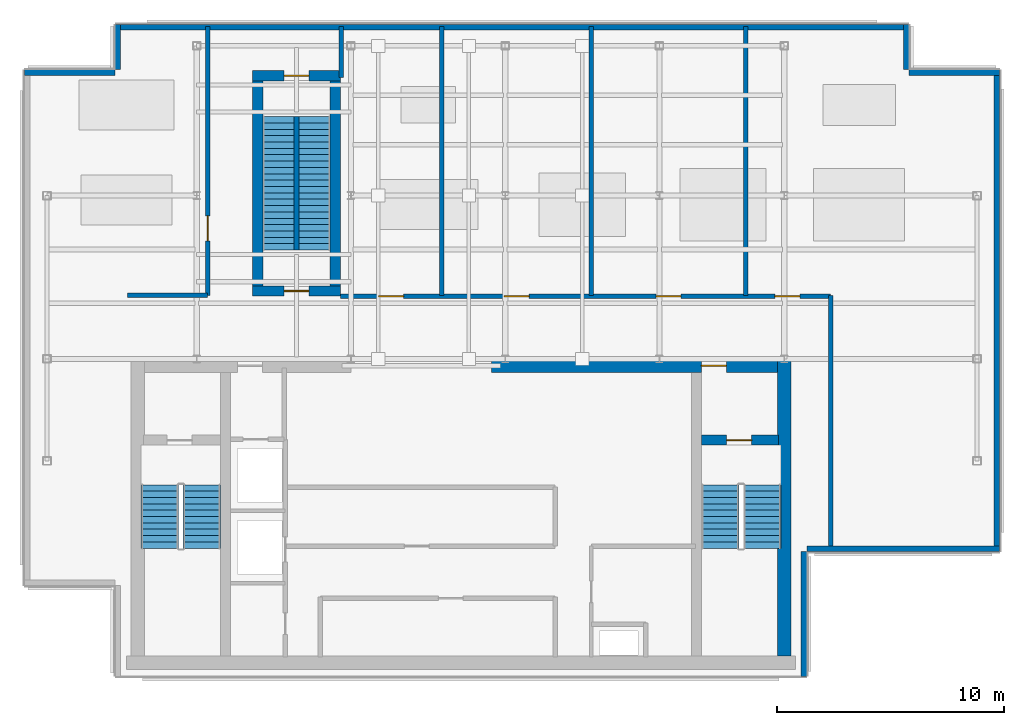
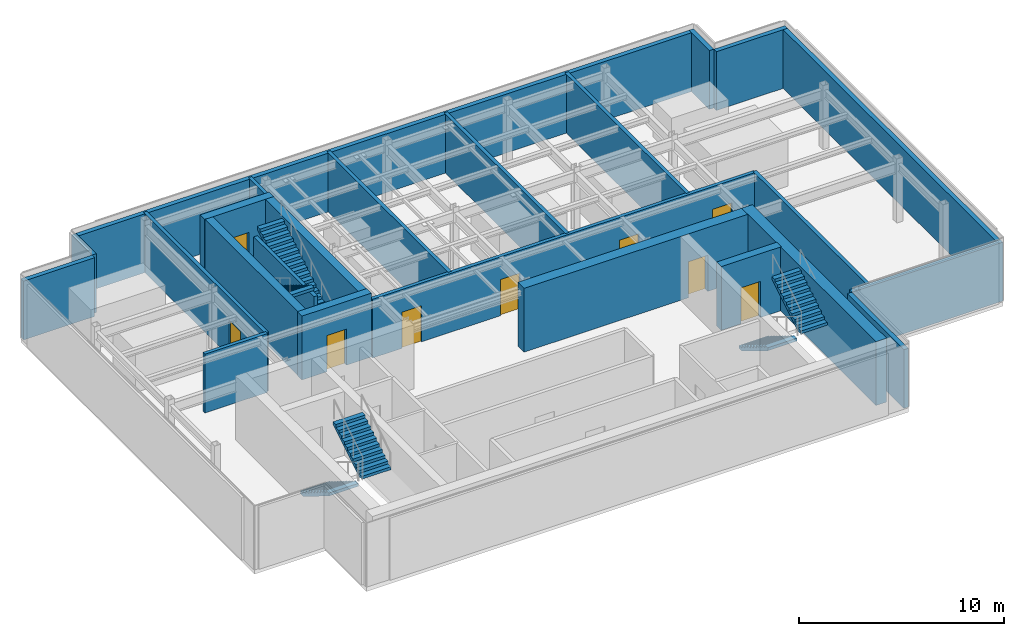
# One storey, part 3 of 7: 24 walls, 9 doors, 6 stair flights, 9 openings, 4 elements without a shape of their own.
"""IFC4 building model written with IfcOpenShell, lengths in metres."""

from ifc_helpers import new_model, si_unit, derived_unit, direction, frame, frame_2d, origin, place, context, subcontext, project, spatial, polyline, rectangle, outline, extrude, source, transform, mapped, material, layer, layer_set, type_object, element, fill, aggregate, save


model = new_model("IFC4")

# Units and contexts
model_context = context("Model", 3, precision=1e-05, world=origin(), true_north=direction((0.0, 1.0)))
body_context = subcontext(model_context, "Body", "Model", "MODEL_VIEW")
ifc_project = project(units=[si_unit("LENGTHUNIT", "METRE"), si_unit("AREAUNIT", "SQUARE_METRE"), si_unit("VOLUMEUNIT", "CUBIC_METRE"), si_unit("PLANEANGLEUNIT", "RADIAN"), si_unit("MASSUNIT", "GRAM", prefix="KILO"), derived_unit("THERMALTRANSMITTANCEUNIT", [(si_unit("POWERUNIT", "WATT"), 1), (si_unit("LENGTHUNIT", "METRE"), -2), (si_unit("THERMODYNAMICTEMPERATUREUNIT", "KELVIN"), -1)])], contexts=[model_context])

# Site, building, storey
site_placement = place(None, origin())
site = spatial("IfcSite", under=ifc_project, at=site_placement, CompositionType="ELEMENT")
building_placement = place(site_placement, origin())
building = spatial("IfcBuilding", under=site, at=building_placement, Name="Skarnbrae Concourse Arena and Tower", CompositionType="ELEMENT")
storey_placement = place(building_placement, frame((0.0, 0.0, 307.449951171875)))
storey = spatial("IfcBuildingStorey", under=building, at=storey_placement, Name="L80", CompositionType="ELEMENT", Elevation=307.449951171875)

# Wall
ifc_material_1 = material(Name="Concrete 50 MPa (C50/60)", Category="concrete")
ifc_layer_1 = layer(ifc_material_1, 0.60009765625)
ifc_layer_set_1 = layer_set([ifc_layer_1], Name="Concrete 50 MPa (C50/60)")
wall_type_1 = type_object("IfcWallType", Name="WALL-CORE-600-C50", PredefinedType="SHEAR", material=ifc_layer_set_1)
shared_shape_1 = source(origin(), body_context, "Body", "SweptSolid", [
    extrude(rectangle(XDim=13.10009765625, YDim=0.60009765625, at=frame_2d((6.550048828125, 0.0))), origin(), (0.0, 0.0, 1.0), 3.800048828125),
])
wall_1_placement = place(storey_placement, frame((33.5, 0.89990234375, 0.0), z_axis=(0.0, 0.0, 1.0), x_axis=(0.0, 1.0, 0.0)))
element("IfcWall", 1, at=wall_1_placement, inside=storey, type_object=wall_type_1, Name="L80 Rear core shear wall CW-E", PredefinedType="SHEAR", context=body_context, shape_type="MappedRepresentation", body=[
    mapped(shared_shape_1, transform((0.0, 0.0, 0.0))),
])

# Wall, opening, door
shared_shape_2 = source(origin(), body_context, "Body", "SweptSolid", [
    extrude(rectangle(XDim=12.599853515625, YDim=0.60009765625, at=frame_2d((6.2998046875, 0.0))), origin(), (0.0, 0.0, 1.0), 3.800048828125),
])
wall_2_placement = place(storey_placement, frame((20.60009765625, 13.699951171875, 0.0), z_axis=(0.0, 0.0, 1.0), x_axis=(1.0, 0.0, 0.0)))
wall_2 = element("IfcWall", 2, at=wall_2_placement, inside=storey, type_object=wall_type_1, Name="L80 Rear core shear wall CW-NE", PredefinedType="SHEAR", context=body_context, shape_type="MappedRepresentation", body=[
    mapped(shared_shape_2, transform((0.0, 0.0, 0.0))),
])
opening_1_placement = place(wall_2_placement, frame((9.25, 0.0, 0.0)))
opening_1 = element("IfcOpeningElement", 3, at=opening_1_placement, cuts=wall_2, Name="Opening DT-03", PredefinedType="OPENING", context=body_context, shape_type="SweptSolid", body=[
    extrude(rectangle(XDim=1.10009765625, YDim=2.14990234375, at=frame_2d((0.550048828125, 1.074951171875))), frame((0.0, 0.31005859375, 0.0), z_axis=(0.0, -1.0, 0.0), x_axis=(1.0, 0.0, 0.0)), (0.0, 0.0, 1.0), 0.6201171875),
])
ifc_material_2 = material(Name="Steel CSA G40.21 350W", Category="steel")
door_type = type_object("IfcDoorType", Name="DOOR-FIRE-1100-90M", OperationType="NOTDEFINED", PredefinedType="DOOR", material=ifc_material_2)
shared_shape_3 = source(origin(), body_context, "Body", "SweptSolid", [
    extrude(rectangle(XDim=1.10009765625, YDim=2.14990234375, at=frame_2d((0.550048828125, 1.074951171875))), frame((0.0, 0.02490234375, 0.0), z_axis=(0.0, -1.0, 0.0), x_axis=(1.0, 0.0, 0.0)), (0.0, 0.0, 1.0), 0.050048828125),
])
door_1_placement = place(opening_1_placement, origin())
door_1 = element("IfcDoor", 4, at=door_1_placement, inside=storey, type_object=door_type, Name="D-2357 Stair ST-2 Vestibule Door", OperationType="SINGLE_SWING_LEFT", OverallHeight=2.14990234375, OverallWidth=1.10009765625, PredefinedType="DOOR", context=body_context, shape_type="MappedRepresentation", body=[
    mapped(shared_shape_3, transform((0.0, 0.0, 0.0))),
])
fill(opening_1, door_1)

ifc_layer_2 = layer(ifc_material_1, 0.449951171875)
ifc_layer_set_2 = layer_set([ifc_layer_2], Name="Concrete 50 MPa (C50/60)")
wall_type_2 = type_object("IfcWallType", Name="WALL-CORE-450-C50", PredefinedType="SHEAR", material=ifc_layer_set_2)
shared_shape_4 = source(origin(), body_context, "Body", "SweptSolid", [
    extrude(rectangle(XDim=3.389892578125, YDim=0.449951171875, at=frame_2d((1.69482421875, 0.0))), origin(), (0.0, 0.0, 1.0), 3.800048828125),
])
wall_3_placement = place(storey_placement, frame((29.860107421875, 10.419921875, 0.0), z_axis=(0.0, 0.0, 1.0), x_axis=(1.0, 0.0, 0.0)))
wall_3 = element("IfcWall", 5, at=wall_3_placement, inside=storey, type_object=wall_type_2, Name="L80 Rear core shear wall CW-ST2-N", PredefinedType="SHEAR", context=body_context, shape_type="MappedRepresentation", body=[
    mapped(shared_shape_4, transform((0.0, 0.0, 0.0))),
])
opening_2_placement = place(wall_3_placement, frame((1.10009765625, 0.0, 0.0)))
opening_2 = element("IfcOpeningElement", 6, at=opening_2_placement, cuts=wall_3, Name="Opening DT-03", PredefinedType="OPENING", context=body_context, shape_type="SweptSolid", body=[
    extrude(rectangle(XDim=1.10009765625, YDim=2.14990234375, at=frame_2d((0.550048828125, 1.074951171875))), frame((0.0, 0.23486328125, 0.0), z_axis=(0.0, -1.0, 0.0), x_axis=(1.0, 0.0, 0.0)), (0.0, 0.0, 1.0), 0.469970703125),
])
door_2_placement = place(opening_2_placement, frame((1.10009765625, 0.0, 0.0), z_axis=(0.0, 0.0, 1.0), x_axis=(-1.0, 0.0, 0.0)))
door_2 = element("IfcDoor", 7, at=door_2_placement, inside=storey, type_object=door_type, Name="D-2355 Stair ST-2 Door", OperationType="SINGLE_SWING_RIGHT", OverallHeight=2.14990234375, OverallWidth=1.10009765625, PredefinedType="DOOR", context=body_context, shape_type="MappedRepresentation", body=[
    mapped(shared_shape_3, transform((0.0, 0.0, 0.0))),
])
fill(opening_2, door_2)

# Walls
ifc_material_3 = material(Name="Precast concrete 40 MPa (C40/50)", Category="concrete")
ifc_layer_3 = layer(ifc_material_3, 0.25)
ifc_layer_set_3 = layer_set([ifc_layer_3], Name="Precast concrete 40 MPa (C40/50)")
wall_type_3 = type_object("IfcWallType", Name="WALL-CROWN-BRONZE-250", PredefinedType="STANDARD", material=ifc_layer_set_3)
shared_shape_5 = source(origin(), body_context, "Body", "SweptSolid", [
    extrude(rectangle(XDim=5.5, YDim=0.25, at=frame_2d((2.75, 0.0))), origin(), (0.0, 0.0, 1.0), 3.5),
])
wall_4_placement = place(storey_placement, frame((34.375, 0.0, 0.0), z_axis=(0.0, 0.0, 1.0), x_axis=(0.0, 1.0, 0.0)))
element("IfcWall", 8, at=wall_4_placement, inside=storey, type_object=wall_type_3, Name="L80 Crown enclosure wall 02", PredefinedType="STANDARD", context=body_context, shape_type="MappedRepresentation", body=[
    mapped(shared_shape_5, transform((0.0, 0.0, 0.0))),
])
shared_shape_6 = source(origin(), body_context, "Body", "SweptSolid", [
    extrude(rectangle(XDim=8.5, YDim=0.25, at=frame_2d((4.25, 0.0))), origin(), (0.0, 0.0, 1.0), 3.5),
])
wall_5_placement = place(storey_placement, frame((34.5, 5.625, 0.0), z_axis=(0.0, 0.0, 1.0), x_axis=(1.0, 0.0, 0.0)))
element("IfcWall", 9, at=wall_5_placement, inside=storey, type_object=wall_type_3, Name="L80 Crown enclosure wall 03", PredefinedType="STANDARD", context=body_context, shape_type="MappedRepresentation", body=[
    mapped(shared_shape_6, transform((0.0, 0.0, 0.0))),
])
shared_shape_7 = source(origin(), body_context, "Body", "SweptSolid", [
    extrude(rectangle(XDim=21.25, YDim=0.25, at=frame_2d((10.625, 0.0))), origin(), (0.0, 0.0, 1.0), 3.5),
])
wall_6_placement = place(storey_placement, frame((42.875, 5.5, 0.0), z_axis=(0.0, 0.0, 1.0), x_axis=(0.0, 1.0, 0.0)))
element("IfcWall", 10, at=wall_6_placement, inside=storey, type_object=wall_type_3, Name="L80 Crown enclosure wall 04", PredefinedType="STANDARD", context=body_context, shape_type="MappedRepresentation", body=[
    mapped(shared_shape_7, transform((0.0, 0.0, 0.0))),
])
shared_shape_8 = source(origin(), body_context, "Body", "SweptSolid", [
    extrude(rectangle(XDim=4.0, YDim=0.25, at=frame_2d((2.0, 0.0))), origin(), (0.0, 0.0, 1.0), 3.5),
])
for number, where, z_axis, x_axis, name in (
    (11, (43.0, 26.625, 0.0), (0.0, 0.0, 1.0), (-1.0, 0.0, 0.0), "L80 Crown enclosure wall 05"),
    (12, (4.0, 26.625, 0.0), (0.0, 0.0, 1.0), (-1.0, 0.0, 0.0), "L80 Crown enclosure wall 09"),
):
    element("IfcWall", number, at=place(storey_placement, frame(where, z_axis=z_axis, x_axis=x_axis)), inside=storey, type_object=wall_type_3, Name=name, PredefinedType="STANDARD", context=body_context, shape_type="MappedRepresentation", body=[
        mapped(shared_shape_8, transform((0.0, 0.0, 0.0))),
    ])
shared_shape_9 = source(origin(), body_context, "Body", "SweptSolid", [
    extrude(rectangle(XDim=2.0, YDim=0.25, at=frame_2d((1.0, 0.0))), origin(), (0.0, 0.0, 1.0), 3.5),
])
for number, where, z_axis, x_axis, name in (
    (13, (38.875, 26.75, 0.0), (0.0, 0.0, 1.0), (0.0, 1.0, 0.0), "L80 Crown enclosure wall 06"),
    (14, (4.125, 28.75, 0.0), (0.0, 0.0, 1.0), (0.0, -1.0, 0.0), "L80 Crown enclosure wall 08"),
):
    element("IfcWall", number, at=place(storey_placement, frame(where, z_axis=z_axis, x_axis=x_axis)), inside=storey, type_object=wall_type_3, Name=name, PredefinedType="STANDARD", context=body_context, shape_type="MappedRepresentation", body=[
        mapped(shared_shape_9, transform((0.0, 0.0, 0.0))),
    ])
shared_shape_10 = source(origin(), body_context, "Body", "SweptSolid", [
    extrude(rectangle(XDim=35.0, YDim=0.25, at=frame_2d((17.5, 0.0))), origin(), (0.0, 0.0, 1.0), 3.5),
])
wall_7_placement = place(storey_placement, frame((39.0, 28.625, 0.0), z_axis=(0.0, 0.0, 1.0), x_axis=(-1.0, 0.0, 0.0)))
element("IfcWall", 15, at=wall_7_placement, inside=storey, type_object=wall_type_3, Name="L80 Crown enclosure wall 07", PredefinedType="STANDARD", context=body_context, shape_type="MappedRepresentation", body=[
    mapped(shared_shape_10, transform((0.0, 0.0, 0.0))),
])

# Wall, opening, door
shared_shape_11 = source(origin(), body_context, "Body", "SweptSolid", [
    extrude(rectangle(XDim=3.89990234375, YDim=0.449951171875, at=frame_2d((1.949951171875, 0.0))), origin(), (0.0, 0.0, 1.0), 3.800048828125),
])
wall_8_placement = place(storey_placement, frame((10.050048828125, 16.9951171875, 0.0), z_axis=(0.0, 0.0, 1.0), x_axis=(1.0, 0.0, 0.0)))
wall_8 = element("IfcWall", 16, at=wall_8_placement, inside=storey, type_object=wall_type_2, Name="L80 Protected stair shaft wall ST-CRWN-S", PredefinedType="SHEAR", context=body_context, shape_type="MappedRepresentation", body=[
    mapped(shared_shape_11, transform((0.0, 0.0, 0.0))),
])
opening_3_placement = place(wall_8_placement, frame((1.39990234375, 0.0, 0.0)))
opening_3 = element("IfcOpeningElement", 17, at=opening_3_placement, cuts=wall_8, Name="Opening DT-03", PredefinedType="OPENING", context=body_context, shape_type="SweptSolid", body=[
    extrude(rectangle(XDim=1.10009765625, YDim=2.14990234375, at=frame_2d((0.550048828125, 1.074951171875))), frame((0.0, 0.23486328125, 0.0), z_axis=(0.0, -1.0, 0.0), x_axis=(1.0, 0.0, 0.0)), (0.0, 0.0, 1.0), 0.469970703125),
])
door_3_placement = place(opening_3_placement, origin())
door_3 = element("IfcDoor", 18, at=door_3_placement, inside=storey, type_object=door_type, Name="D-2369 Exit Stair ST-CRWN Door", OperationType="SINGLE_SWING_LEFT", OverallHeight=2.14990234375, OverallWidth=1.10009765625, PredefinedType="DOOR", context=body_context, shape_type="MappedRepresentation", body=[
    mapped(shared_shape_3, transform((0.0, 0.0, 0.0))),
])
fill(opening_3, door_3)

wall_9_placement = place(storey_placement, frame((10.050048828125, 26.485107421875, 0.0), z_axis=(0.0, 0.0, 1.0), x_axis=(1.0, 0.0, 0.0)))
wall_9 = element("IfcWall", 19, at=wall_9_placement, inside=storey, type_object=wall_type_2, Name="L80 Protected stair shaft wall ST-CRWN-N", PredefinedType="SHEAR", context=body_context, shape_type="MappedRepresentation", body=[
    mapped(shared_shape_11, transform((0.0, 0.0, 0.0))),
])
opening_4_placement = place(wall_9_placement, frame((1.39990234375, 0.0, 0.0)))
opening_4 = element("IfcOpeningElement", 20, at=opening_4_placement, cuts=wall_9, Name="Opening DT-03", PredefinedType="OPENING", context=body_context, shape_type="SweptSolid", body=[
    extrude(rectangle(XDim=1.10009765625, YDim=2.14990234375, at=frame_2d((0.550048828125, 1.074951171875))), frame((0.0, 0.23486328125, 0.0), z_axis=(0.0, -1.0, 0.0), x_axis=(1.0, 0.0, 0.0)), (0.0, 0.0, 1.0), 0.469970703125),
])
door_4_placement = place(opening_4_placement, frame((1.10009765625, 0.0, 0.0), z_axis=(0.0, 0.0, 1.0), x_axis=(-1.0, 0.0, 0.0)))
door_4 = element("IfcDoor", 21, at=door_4_placement, inside=storey, type_object=door_type, Name="D-2370 Exit Stair ST-CRWN North Door", OperationType="SINGLE_SWING_RIGHT", OverallHeight=2.14990234375, OverallWidth=1.10009765625, PredefinedType="DOOR", context=body_context, shape_type="MappedRepresentation", body=[
    mapped(shared_shape_3, transform((0.0, 0.0, 0.0))),
])
fill(opening_4, door_4)

# Walls
shared_shape_12 = source(origin(), body_context, "Body", "SweptSolid", [
    extrude(rectangle(XDim=9.080078125, YDim=0.449951171875, at=frame_2d((4.5400390625, 0.0))), origin(), (0.0, 0.0, 1.0), 3.800048828125),
])
for number, where, z_axis, x_axis, name in (
    (22, (10.294921875, 17.199951171875, 0.0), (0.0, 0.0, 1.0), (0.0, 1.0, 0.0), "L80 Protected stair shaft wall ST-CRWN-W"),
    (23, (13.705078125, 17.199951171875, 0.0), (0.0, 0.0, 1.0), (0.0, 1.0, 0.0), "L80 Protected stair shaft wall ST-CRWN-E"),
):
    element("IfcWall", number, at=place(storey_placement, frame(where, z_axis=z_axis, x_axis=x_axis)), inside=storey, type_object=wall_type_2, Name=name, PredefinedType="SHEAR", context=body_context, shape_type="MappedRepresentation", body=[
        mapped(shared_shape_12, transform((0.0, 0.0, 0.0))),
    ])
ifc_material_4 = material(Name="Gypsum board on cold-formed steel studs", Category="steel")
ifc_layer_4 = layer(ifc_material_4, 0.199951171875)
ifc_layer_set_4 = layer_set([ifc_layer_4], Name="Gypsum board on cold-formed steel studs")
wall_type_4 = type_object("IfcWallType", Name="WALL-PART-200-2HR", PredefinedType="PARTITIONING", material=ifc_layer_set_4)
shared_shape_13 = source(origin(), body_context, "Body", "SweptSolid", [
    extrude(rectangle(XDim=5.8798828125, YDim=0.199951171875, at=frame_2d((2.93994140625, 0.0))), origin(), (0.0, 0.0, 1.0), 3.080078125),
])
wall_10_placement = place(storey_placement, frame((12.0, 18.800048828125, 0.0), z_axis=(0.0, 0.0, 1.0), x_axis=(0.0, 1.0, 0.0)))
element("IfcWall", 24, at=wall_10_placement, inside=storey, type_object=wall_type_4, Name="L80 Scissor stair dividing wall ST-CRWN", PredefinedType="PARTITIONING", context=body_context, shape_type="MappedRepresentation", body=[
    mapped(shared_shape_13, transform((0.0, 0.0, 0.0))),
])

# Wall, opening, door
shared_shape_14 = source(origin(), body_context, "Body", "SweptSolid", [
    extrude(rectangle(XDim=11.849853515625, YDim=0.199951171875, at=frame_2d((5.9248046875, 0.0))), origin(), (0.0, 0.0, 1.0), 3.5),
])
wall_11_placement = place(storey_placement, frame((8.080078125, 16.800048828125, 0.0), z_axis=(0.0, 0.0, 1.0), x_axis=(0.0, 1.0, 0.0)))
wall_11 = element("IfcWall", 25, at=wall_11_placement, inside=storey, type_object=wall_type_4, Name="L80 Interior partition wall W-L80-CW1", PredefinedType="PARTITIONING", context=body_context, shape_type="MappedRepresentation", body=[
    mapped(shared_shape_14, transform((0.0, 0.0, 0.0))),
])
opening_5_placement = place(wall_11_placement, frame((2.39990234375, 0.0, 0.0)))
opening_5 = element("IfcOpeningElement", 26, at=opening_5_placement, cuts=wall_11, Name="Opening DT-03", PredefinedType="OPENING", context=body_context, shape_type="SweptSolid", body=[
    extrude(rectangle(XDim=1.10009765625, YDim=2.14990234375, at=frame_2d((0.550048828125, 1.074951171875))), frame((0.0, 0.10986328125, 0.0), z_axis=(0.0, -1.0, 0.0), x_axis=(1.0, 0.0, 0.0)), (0.0, 0.0, 1.0), 0.219970703125),
])
door_5_placement = place(opening_5_placement, frame((1.10009765625, 0.0, 0.0), z_axis=(0.0, 0.0, 1.0), x_axis=(-1.0, 0.0, 0.0)))
door_5 = element("IfcDoor", 27, at=door_5_placement, inside=storey, type_object=door_type, Name="D-2364 L80 West Plant Door", OperationType="SINGLE_SWING_LEFT", OverallHeight=2.14990234375, OverallWidth=1.10009765625, PredefinedType="DOOR", context=body_context, shape_type="MappedRepresentation", body=[
    mapped(shared_shape_3, transform((0.0, 0.0, 0.0))),
])
fill(opening_5, door_5)

# Walls
for number, where, z_axis, x_axis, name in (
    (28, (18.39990234375, 16.800048828125, 0.0), (0.0, 0.0, 1.0), (0.0, 1.0, 0.0), "L80 Interior partition wall W-L80-CM-184"),
    (29, (25.0, 16.800048828125, 0.0), (0.0, 0.0, 1.0), (0.0, 1.0, 0.0), "L80 Interior partition wall W-L80-CM-250"),
    (30, (31.800048828125, 16.800048828125, 0.0), (0.0, 0.0, 1.0), (0.0, 1.0, 0.0), "L80 Interior partition wall W-L80-CM-318"),
):
    element("IfcWall", number, at=place(storey_placement, frame(where, z_axis=z_axis, x_axis=x_axis)), inside=storey, type_object=wall_type_4, Name=name, PredefinedType="PARTITIONING", context=body_context, shape_type="MappedRepresentation", body=[
        mapped(shared_shape_14, transform((0.0, 0.0, 0.0))),
    ])
shared_shape_15 = source(origin(), body_context, "Body", "SweptSolid", [
    extrude(rectangle(XDim=3.530029296875, YDim=0.199951171875, at=frame_2d((1.76513671875, 0.0))), origin(), (0.0, 0.0, 1.0), 3.5),
])
wall_12_placement = place(storey_placement, frame((4.550048828125, 16.800048828125, 0.0), z_axis=(0.0, 0.0, 1.0), x_axis=(1.0, 0.0, 0.0)))
element("IfcWall", 31, at=wall_12_placement, inside=storey, type_object=wall_type_4, Name="L80 Interior partition wall W-L80-CW2", PredefinedType="PARTITIONING", context=body_context, shape_type="MappedRepresentation", body=[
    mapped(shared_shape_15, transform((0.0, 0.0, 0.0))),
])

# Wall, openings, doors
shared_shape_16 = source(origin(), body_context, "Body", "SweptSolid", [
    extrude(rectangle(XDim=21.60009765625, YDim=0.199951171875, at=frame_2d((10.800048828125, 0.0))), origin(), (0.0, 0.0, 1.0), 3.5),
])
wall_13_placement = place(storey_placement, frame((13.949951171875, 16.760009765625, 0.0), z_axis=(0.0, 0.0, 1.0), x_axis=(1.0, 0.0, 0.0)))
wall_13 = element("IfcWall", 32, at=wall_13_placement, inside=storey, type_object=wall_type_4, Name="L80 Interior partition wall W-L80-CE1", PredefinedType="PARTITIONING", context=body_context, shape_type="MappedRepresentation", body=[
    mapped(shared_shape_16, transform((0.0, 0.0, 0.0))),
])
opening_6_placement = place(wall_13_placement, frame((1.669921875, 0.0, 0.0)))
opening_6 = element("IfcOpeningElement", 33, at=opening_6_placement, cuts=wall_13, Name="Opening DT-03", PredefinedType="OPENING", context=body_context, shape_type="SweptSolid", body=[
    extrude(rectangle(XDim=1.10009765625, YDim=2.14990234375, at=frame_2d((0.550048828125, 1.074951171875))), frame((0.0, 0.10986328125, 0.0), z_axis=(0.0, -1.0, 0.0), x_axis=(1.0, 0.0, 0.0)), (0.0, 0.0, 1.0), 0.219970703125),
])
opening_7_placement = place(wall_13_placement, frame((7.199951171875, 0.0, 0.0)))
opening_7 = element("IfcOpeningElement", 34, at=opening_7_placement, cuts=wall_13, Name="Opening DT-03", PredefinedType="OPENING", context=body_context, shape_type="SweptSolid", body=[
    extrude(rectangle(XDim=1.10009765625, YDim=2.14990234375, at=frame_2d((0.550048828125, 1.074951171875))), frame((0.0, 0.10986328125, 0.0), z_axis=(0.0, -1.0, 0.0), x_axis=(1.0, 0.0, 0.0)), (0.0, 0.0, 1.0), 0.219970703125),
])
opening_8_placement = place(wall_13_placement, frame((13.89990234375, 0.0, 0.0)))
opening_8 = element("IfcOpeningElement", 35, at=opening_8_placement, cuts=wall_13, Name="Opening DT-03", PredefinedType="OPENING", context=body_context, shape_type="SweptSolid", body=[
    extrude(rectangle(XDim=1.10009765625, YDim=2.14990234375, at=frame_2d((0.550048828125, 1.074951171875))), frame((0.0, 0.10986328125, 0.0), z_axis=(0.0, -1.0, 0.0), x_axis=(1.0, 0.0, 0.0)), (0.0, 0.0, 1.0), 0.219970703125),
])
opening_9_placement = place(wall_13_placement, frame((19.139892578125, 0.0, 0.0)))
opening_9 = element("IfcOpeningElement", 36, at=opening_9_placement, cuts=wall_13, Name="Opening DT-03", PredefinedType="OPENING", context=body_context, shape_type="SweptSolid", body=[
    extrude(rectangle(XDim=1.10009765625, YDim=2.14990234375, at=frame_2d((0.550048828125, 1.074951171875))), frame((0.0, 0.10986328125, 0.0), z_axis=(0.0, -1.0, 0.0), x_axis=(1.0, 0.0, 0.0)), (0.0, 0.0, 1.0), 0.219970703125),
])
door_6_placement = place(opening_6_placement, origin())
door_6 = element("IfcDoor", 37, at=door_6_placement, inside=storey, type_object=door_type, Name="D-2365 L80 Crown Heat Recovery Mechanical Plant Door", OperationType="SINGLE_SWING_LEFT", OverallHeight=2.14990234375, OverallWidth=1.10009765625, PredefinedType="DOOR", context=body_context, shape_type="MappedRepresentation", body=[
    mapped(shared_shape_3, transform((0.0, 0.0, 0.0))),
])
fill(opening_6, door_6)
door_7_placement = place(opening_7_placement, origin())
door_7 = element("IfcDoor", 38, at=door_7_placement, inside=storey, type_object=door_type, Name="D-2366 L80 Crown Boiler Mechanical Plant Door", OperationType="SINGLE_SWING_RIGHT", OverallHeight=2.14990234375, OverallWidth=1.10009765625, PredefinedType="DOOR", context=body_context, shape_type="MappedRepresentation", body=[
    mapped(shared_shape_3, transform((0.0, 0.0, 0.0))),
])
fill(opening_7, door_7)
door_8_placement = place(opening_8_placement, origin())
door_8 = element("IfcDoor", 39, at=door_8_placement, inside=storey, type_object=door_type, Name="D-2367 L80 Crown Pump Mechanical Plant Door", OperationType="SINGLE_SWING_LEFT", OverallHeight=2.14990234375, OverallWidth=1.10009765625, PredefinedType="DOOR", context=body_context, shape_type="MappedRepresentation", body=[
    mapped(shared_shape_3, transform((0.0, 0.0, 0.0))),
])
fill(opening_8, door_8)
door_9_placement = place(opening_9_placement, origin())
door_9 = element("IfcDoor", 40, at=door_9_placement, inside=storey, type_object=door_type, Name="D-2368 L80 Crown Emergency Power Plant Door", OperationType="SINGLE_SWING_RIGHT", OverallHeight=2.14990234375, OverallWidth=1.10009765625, PredefinedType="DOOR", context=body_context, shape_type="MappedRepresentation", body=[
    mapped(shared_shape_3, transform((0.0, 0.0, 0.0))),
])
fill(opening_9, door_9)

# Walls
shared_shape_17 = source(origin(), body_context, "Body", "SweptSolid", [
    extrude(rectangle(XDim=2.25, YDim=0.199951171875, at=frame_2d((1.125, 0.0))), origin(), (0.0, 0.0, 1.0), 3.5),
])
wall_14_placement = place(storey_placement, frame((13.97998046875, 26.39990234375, 0.0), z_axis=(0.0, 0.0, 1.0), x_axis=(0.0, 1.0, 0.0)))
element("IfcWall", 41, at=wall_14_placement, inside=storey, type_object=wall_type_4, Name="L80 Interior partition wall W-L80-DN", PredefinedType="PARTITIONING", context=body_context, shape_type="MappedRepresentation", body=[
    mapped(shared_shape_17, transform((0.0, 0.0, 0.0))),
])
shared_shape_18 = source(origin(), body_context, "Body", "SweptSolid", [
    extrude(rectangle(XDim=11.25, YDim=0.199951171875, at=frame_2d((5.625, 0.0))), origin(), (0.0, 0.0, 1.0), 3.5),
])
wall_15_placement = place(storey_placement, frame((35.550048828125, 5.550048828125, 0.0), z_axis=(0.0, 0.0, 1.0), x_axis=(0.0, 1.0, 0.0)))
element("IfcWall", 42, at=wall_15_placement, inside=storey, type_object=wall_type_4, Name="L80 Interior partition wall W-L80-CE2", PredefinedType="PARTITIONING", context=body_context, shape_type="MappedRepresentation", body=[
    mapped(shared_shape_18, transform((0.0, 0.0, 0.0))),
])

# Stair, stair flights
ifc_material_5 = material(Name="Concrete 40 MPa (C40/50)", Category="concrete")
stair_type_1 = type_object("IfcStairType", Name="STAIR-DOGLEG-1650", PredefinedType="HALF_TURN_STAIR", material=ifc_material_5)
stair_1_placement = place(storey_placement, origin())
stair_1 = element("IfcStair", 43, at=stair_1_placement, inside=storey, type_object=stair_type_1, Name="L80 Protected Exit Stair ST-1", PredefinedType="HALF_TURN_STAIR")
stair_flight_type_1 = type_object("IfcStairFlightType", Name="FLIGHT-STRAIGHT-1650", PredefinedType="STRAIGHT", material=ifc_material_5)
shared_shape_19 = source(origin(), body_context, "Body", "SweptSolid", [
    extrude(outline(polyline([(0.0, 0.0), (0.0, 0.172607421875), (0.280029296875, 0.172607421875), (0.280029296875, 0.345458984375), (0.56005859375, 0.345458984375), (0.56005859375, 0.51806640625), (0.840087890625, 0.51806640625), (0.840087890625, 0.69091796875), (1.1201171875, 0.69091796875), (1.1201171875, 0.863525390625), (1.39990234375, 0.863525390625), (1.39990234375, 1.036376953125), (1.679931640625, 1.036376953125), (1.679931640625, 1.208984375), (1.9599609375, 1.208984375), (1.9599609375, 1.3818359375), (2.239990234375, 1.3818359375), (2.239990234375, 1.554443359375), (2.52001953125, 1.554443359375), (2.52001953125, 1.727294921875), (2.800048828125, 1.727294921875), (2.800048828125, 1.89990234375), (2.800048828125, 1.551025390625), (0.285400390625, 0.0), (0.0, 0.0)])), frame((0.0, 0.824951171875, 0.0), z_axis=(0.0, -1.0, 0.0), x_axis=(1.0, 0.0, 0.0)), (0.0, 0.0, 1.0), 1.64990234375),
])
stair_flight_1_placement = place(storey_placement, frame((5.97509765625, 8.449951171875, 0.0), z_axis=(0.0, 0.0, 1.0), x_axis=(0.0, -1.0, 0.0)))
stair_flight_1 = element("IfcStairFlight", 44, at=stair_flight_1_placement, type_object=stair_flight_type_1, Name="ST-1 flight 1", NumberOfRisers=11, NumberOfTreads=10, PredefinedType="STRAIGHT", RiserHeight=0.172727273, TreadLength=0.28, context=body_context, shape_type="MappedRepresentation", body=[
    mapped(shared_shape_19, transform((0.0, 0.0, 0.0))),
])
stair_flight_2_placement = place(storey_placement, frame((7.824951171875, 5.64990234375, 1.900146484375), z_axis=(0.0, 0.0, 1.0), x_axis=(0.0, 1.0, 0.0)))
stair_flight_2 = element("IfcStairFlight", 45, at=stair_flight_2_placement, type_object=stair_flight_type_1, Name="ST-1 flight 2", NumberOfRisers=11, NumberOfTreads=10, PredefinedType="STRAIGHT", RiserHeight=0.172727273, TreadLength=0.28, context=body_context, shape_type="MappedRepresentation", body=[
    mapped(shared_shape_19, transform((0.0, 0.0, 0.0))),
])
aggregate(stair_1, [stair_flight_1, stair_flight_2])

stair_2_placement = place(storey_placement, origin())
stair_2 = element("IfcStair", 46, at=stair_2_placement, inside=storey, type_object=stair_type_1, Name="L80 Protected Exit Stair ST-2", PredefinedType="HALF_TURN_STAIR")
stair_flight_3_placement = place(storey_placement, frame((30.675048828125, 8.449951171875, 0.0), z_axis=(0.0, 0.0, 1.0), x_axis=(0.0, -1.0, 0.0)))
stair_flight_3 = element("IfcStairFlight", 47, at=stair_flight_3_placement, type_object=stair_flight_type_1, Name="ST-2 flight 1", NumberOfRisers=11, NumberOfTreads=10, PredefinedType="STRAIGHT", RiserHeight=0.172727273, TreadLength=0.28, context=body_context, shape_type="MappedRepresentation", body=[
    mapped(shared_shape_19, transform((0.0, 0.0, 0.0))),
])
stair_flight_4_placement = place(storey_placement, frame((32.52490234375, 5.64990234375, 1.900146484375), z_axis=(0.0, 0.0, 1.0), x_axis=(0.0, 1.0, 0.0)))
stair_flight_4 = element("IfcStairFlight", 48, at=stair_flight_4_placement, type_object=stair_flight_type_1, Name="ST-2 flight 2", NumberOfRisers=11, NumberOfTreads=10, PredefinedType="STRAIGHT", RiserHeight=0.172727273, TreadLength=0.28, context=body_context, shape_type="MappedRepresentation", body=[
    mapped(shared_shape_19, transform((0.0, 0.0, 0.0))),
])
aggregate(stair_2, [stair_flight_3, stair_flight_4])

# Stair, stair flight
stair_type_2 = type_object("IfcStairType", Name="STAIR-SCISSOR-1400", PredefinedType="USERDEFINED", material=ifc_material_5)
stair_3_placement = place(storey_placement, origin())
stair_3 = element("IfcStair", 49, at=stair_3_placement, inside=storey, type_object=stair_type_2, Name="L80 Crown Service Scissor Stair A", ObjectType="SCISSOR", PredefinedType="USERDEFINED")
stair_flight_type_2 = type_object("IfcStairFlightType", Name="FLIGHT-STRAIGHT-1400", PredefinedType="STRAIGHT", material=ifc_material_5)
shared_shape_20 = source(origin(), body_context, "Body", "SweptSolid", [
    extrude(outline(polyline([(0.0, 0.0), (0.0, 0.172607421875), (0.280029296875, 0.172607421875), (0.280029296875, 0.345458984375), (0.56005859375, 0.345458984375), (0.56005859375, 0.51806640625), (0.840087890625, 0.51806640625), (0.840087890625, 0.69091796875), (1.1201171875, 0.69091796875), (1.1201171875, 0.863525390625), (1.39990234375, 0.863525390625), (1.39990234375, 1.036376953125), (1.679931640625, 1.036376953125), (1.679931640625, 1.208984375), (1.9599609375, 1.208984375), (1.9599609375, 1.3818359375), (2.239990234375, 1.3818359375), (2.239990234375, 1.554443359375), (2.52001953125, 1.554443359375), (2.52001953125, 1.727294921875), (2.800048828125, 1.727294921875), (2.800048828125, 1.89990234375), (3.080078125, 1.89990234375), (3.080078125, 2.07275390625), (3.360107421875, 2.07275390625), (3.360107421875, 2.245361328125), (3.639892578125, 2.245361328125), (3.639892578125, 2.418212890625), (3.919921875, 2.418212890625), (3.919921875, 2.5908203125), (4.199951171875, 2.5908203125), (4.199951171875, 2.763671875), (4.47998046875, 2.763671875), (4.47998046875, 2.936279296875), (4.760009765625, 2.936279296875), (4.760009765625, 3.109130859375), (5.0400390625, 3.109130859375), (5.0400390625, 3.28173828125), (5.320068359375, 3.28173828125), (5.320068359375, 3.45458984375), (5.60009765625, 3.45458984375), (5.60009765625, 3.627197265625), (5.8798828125, 3.627197265625), (5.8798828125, 3.800048828125), (5.8798828125, 3.451171875), (0.285400390625, 0.0), (0.0, 0.0)])), frame((0.0, 0.699951171875, 0.0), z_axis=(0.0, -1.0, 0.0), x_axis=(1.0, 0.0, 0.0)), (0.0, 0.0, 1.0), 1.39990234375),
])
stair_flight_5_placement = place(storey_placement, frame((12.800048828125, 18.800048828125, 0.0), z_axis=(0.0, 0.0, 1.0), x_axis=(0.0, 1.0, 0.0)))
stair_flight_5 = element("IfcStairFlight", 50, at=stair_flight_5_placement, type_object=stair_flight_type_2, Name="ST-CRWNA flight 1", NumberOfRisers=22, NumberOfTreads=21, PredefinedType="STRAIGHT", RiserHeight=0.172727273, TreadLength=0.28, context=body_context, shape_type="MappedRepresentation", body=[
    mapped(shared_shape_20, transform((0.0, 0.0, 0.0))),
])
aggregate(stair_3, [stair_flight_5])

stair_4_placement = place(storey_placement, origin())
stair_4 = element("IfcStair", 51, at=stair_4_placement, inside=storey, type_object=stair_type_2, Name="L80 Crown Service Scissor Stair B", ObjectType="SCISSOR", PredefinedType="USERDEFINED")
stair_flight_6_placement = place(storey_placement, frame((11.199951171875, 24.679931640625, 0.0), z_axis=(0.0, 0.0, 1.0), x_axis=(0.0, -1.0, 0.0)))
stair_flight_6 = element("IfcStairFlight", 52, at=stair_flight_6_placement, type_object=stair_flight_type_2, Name="ST-CRWNB flight 1", NumberOfRisers=22, NumberOfTreads=21, PredefinedType="STRAIGHT", RiserHeight=0.172727273, TreadLength=0.28, context=body_context, shape_type="MappedRepresentation", body=[
    mapped(shared_shape_20, transform((0.0, 0.0, 0.0))),
])
aggregate(stair_4, [stair_flight_6])

save(model, "model.ifc")
